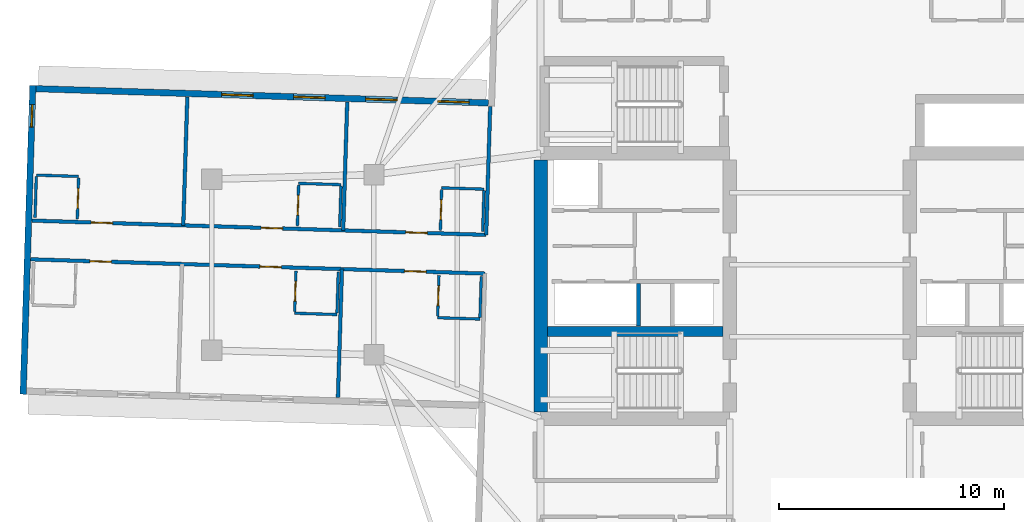
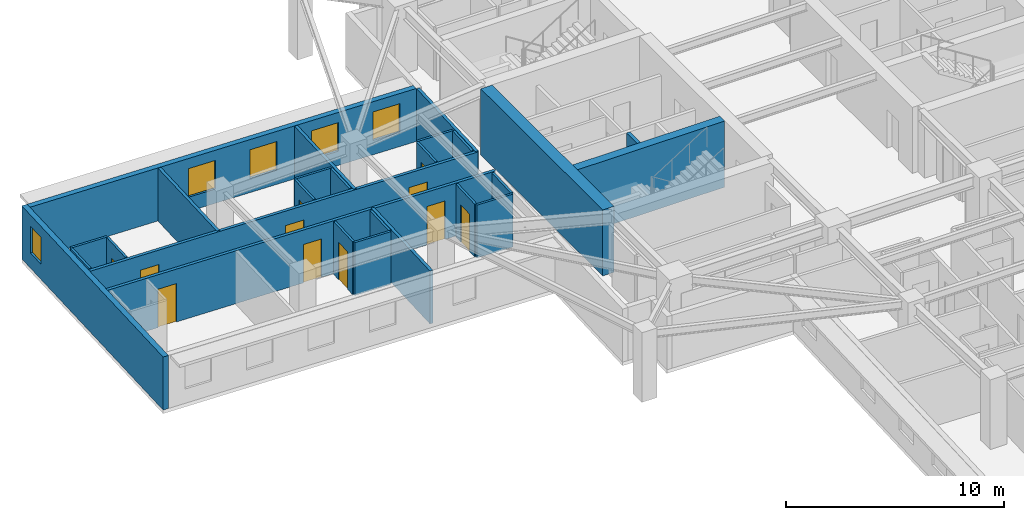
# One storey, part 5 of 14: 26 walls, 11 doors, 5 windows, 16 openings.
"""IFC4 building model written with IfcOpenShell, lengths in metres."""

from ifc_helpers import new_model, si_unit, direction, frame, frame_2d, origin, place, context, subcontext, project, spatial, rectangle, extrude, material, layer, layer_set, type_object, element, fill, save


model = new_model("IFC4")

# Units and contexts
model_context = context("Model", 3, precision=1e-05, world=origin(), true_north=direction((0.0, 1.0)))
body_context = subcontext(model_context, "Body", "Model", "MODEL_VIEW")
ifc_project = project(units=[si_unit("LENGTHUNIT", "METRE"), si_unit("AREAUNIT", "SQUARE_METRE"), si_unit("VOLUMEUNIT", "CUBIC_METRE"), si_unit("PLANEANGLEUNIT", "RADIAN"), si_unit("MASSUNIT", "GRAM", prefix="KILO")], contexts=[model_context])

# Site, building, storey
site_placement = place(None, origin())
site = spatial("IfcSite", under=ifc_project, at=site_placement, CompositionType="ELEMENT")
building_placement = place(site_placement, origin())
building = spatial("IfcBuilding", under=site, at=building_placement, Name="Qingluan Cross Belvedere", CompositionType="ELEMENT")
storey_placement = place(building_placement, frame((0.0, 0.0, 176.10009765625)))
storey = spatial("IfcBuildingStorey", under=building, at=storey_placement, Name="L44", CompositionType="ELEMENT", Elevation=176.10009765625)

# Walls
ifc_material_1 = material(Name="Concrete C50", Category="concrete")
ifc_layer_1 = layer(ifc_material_1, 0.449951171875, Name="CoreShearWall_450")
ifc_layer_set_1 = layer_set([ifc_layer_1], Name="Concrete C50")
wall_type_1 = type_object("IfcWallType", Name="CoreShearWall_450", PredefinedType="SHEAR", material=ifc_layer_set_1)
wall_1_placement = place(storey_placement, frame((-12.094970703125, -2.9599609375, 0.0), z_axis=(0.0, 0.0, 1.0), x_axis=(1.0, 0.0, 0.0)))
element("IfcWall", 1, at=wall_1_placement, inside=storey, type_object=wall_type_1, Name="Split core W shear wall L44-M", PredefinedType="SHEAR", context=body_context, shape_type="SweptSolid", body=[
    extrude(rectangle(XDim=7.7900390625, YDim=0.449951171875, at=frame_2d((3.89501953125, 0.0))), origin(), (0.0, 0.0, 1.0), 3.699951171875),
])
ifc_material_2 = material(Name="Concrete C60", Category="concrete")
ifc_layer_2 = layer(ifc_material_2, 0.60009765625, Name="CoreShearWall_600")
ifc_layer_set_2 = layer_set([ifc_layer_2], Name="Concrete C60")
wall_type_2 = type_object("IfcWallType", Name="CoreShearWall_600", PredefinedType="SHEAR", material=ifc_layer_set_2)
wall_2_placement = place(storey_placement, frame((-12.39990234375, -6.544921875, 0.0), z_axis=(0.0, 0.0, 1.0), x_axis=(0.0, 1.0, 0.0)))
element("IfcWall", 2, at=wall_2_placement, inside=storey, type_object=wall_type_2, Name="Split core W shear wall L44-W", PredefinedType="SHEAR", context=body_context, shape_type="SweptSolid", body=[
    extrude(rectangle(XDim=11.18994140625, YDim=0.60009765625, at=frame_2d((5.594970703125, 0.0))), origin(), (0.0, 0.0, 1.0), 3.699951171875),
])

# Wall, openings, doors
ifc_material_3 = material(Name="Gypsum plasterboard on steel stud acoustic partition", Category="steel")
ifc_layer_3 = layer(ifc_material_3, 0.159912109375, Name="CorridorPartition_160")
ifc_layer_set_3 = layer_set([ifc_layer_3], Name="Gypsum plasterboard on steel stud acoustic partition")
wall_type_3 = type_object("IfcWallType", Name="CorridorPartition_160", PredefinedType="PARTITIONING", material=ifc_layer_set_3)
wall_3_placement = place(storey_placement, frame((-14.815673828125, 1.325927734375, 0.0), z_axis=(0.0, 0.0, 1.0), x_axis=(-0.999506406629, 0.031415650687, 0.0)))
wall_3 = element("IfcWall", 3, at=wall_3_placement, inside=storey, type_object=wall_type_3, Name="Partition L44:W:c0", PredefinedType="PARTITIONING", context=body_context, shape_type="SweptSolid", body=[
    extrude(rectangle(XDim=20.18212890625, YDim=0.159912109375, at=frame_2d((10.091064453125, 0.0))), origin(), (0.0, 0.0, 1.0), 2.9599609375),
])
opening_1_placement = place(wall_3_placement, frame((2.614990234375, 0.0, 0.0)))
opening_1 = element("IfcOpeningElement", 4, at=opening_1_placement, cuts=wall_3, Name="Opening GD-10", PredefinedType="OPENING", context=body_context, shape_type="SweptSolid", body=[
    extrude(rectangle(XDim=0.9599609375, YDim=2.14990234375, at=frame_2d((0.47998046875, 1.074951171875))), frame((0.0, 0.08984375, 0.0), z_axis=(0.0, -1.0, 0.0), x_axis=(1.0, 0.0, 0.0)), (0.0, 0.0, 1.0), 0.179931640625),
])
opening_2_placement = place(wall_3_placement, frame((9.04296875, 0.0, 0.0)))
opening_2 = element("IfcOpeningElement", 5, at=opening_2_placement, cuts=wall_3, Name="Opening GD-10", PredefinedType="OPENING", context=body_context, shape_type="SweptSolid", body=[
    extrude(rectangle(XDim=0.9599609375, YDim=2.14990234375, at=frame_2d((0.47998046875, 1.074951171875))), frame((0.0, 0.08984375, 0.0), z_axis=(0.0, -1.0, 0.0), x_axis=(1.0, 0.0, 0.0)), (0.0, 0.0, 1.0), 0.179931640625),
])
opening_3_placement = place(wall_3_placement, frame((16.594970703125, 0.0, 0.0)))
opening_3 = element("IfcOpeningElement", 6, at=opening_3_placement, cuts=wall_3, Name="Opening GD-10", PredefinedType="OPENING", context=body_context, shape_type="SweptSolid", body=[
    extrude(rectangle(XDim=0.9599609375, YDim=2.14990234375, at=frame_2d((0.47998046875, 1.074951171875))), frame((0.0, 0.08984375, 0.0), z_axis=(0.0, -1.0, 0.0), x_axis=(1.0, 0.0, 0.0)), (0.0, 0.0, 1.0), 0.179931640625),
])
ifc_material_4 = material(Name="Timber oak fire-rated acoustic guestroom door", Category="wood")
door_type_1 = type_object("IfcDoorType", Name="GuestEntryDoor_FD60", OperationType="NOTDEFINED", PredefinedType="DOOR", material=ifc_material_4)
door_1_placement = place(opening_1_placement, origin())
door_1 = element("IfcDoor", 7, at=door_1_placement, inside=storey, type_object=door_type_1, Name="Guest entry fire door 4405", OperationType="SINGLE_SWING_RIGHT", OverallHeight=2.14990234375, OverallWidth=0.9599609375, PredefinedType="DOOR", context=body_context, shape_type="SweptSolid", body=[
    extrude(rectangle(XDim=0.9599609375, YDim=2.14990234375, at=frame_2d((0.47998046875, 1.074951171875))), frame((0.0, 0.02490234375, 0.0), z_axis=(0.0, -1.0, 0.0), x_axis=(1.0, 0.0, 0.0)), (0.0, 0.0, 1.0), 0.050048828125),
])
fill(opening_1, door_1)
door_2_placement = place(opening_2_placement, origin())
door_2 = element("IfcDoor", 8, at=door_2_placement, inside=storey, type_object=door_type_1, Name="Guest entry fire door 4406", OperationType="SINGLE_SWING_RIGHT", OverallHeight=2.14990234375, OverallWidth=0.9599609375, PredefinedType="DOOR", context=body_context, shape_type="SweptSolid", body=[
    extrude(rectangle(XDim=0.9599609375, YDim=2.14990234375, at=frame_2d((0.47998046875, 1.074951171875))), frame((0.0, 0.02490234375, 0.0), z_axis=(0.0, -1.0, 0.0), x_axis=(1.0, 0.0, 0.0)), (0.0, 0.0, 1.0), 0.050048828125),
])
fill(opening_2, door_2)
door_3_placement = place(opening_3_placement, origin())
door_3 = element("IfcDoor", 9, at=door_3_placement, inside=storey, type_object=door_type_1, Name="Guest entry fire door 4407", OperationType="SINGLE_SWING_RIGHT", OverallHeight=2.14990234375, OverallWidth=0.9599609375, PredefinedType="DOOR", context=body_context, shape_type="SweptSolid", body=[
    extrude(rectangle(XDim=0.9599609375, YDim=2.14990234375, at=frame_2d((0.47998046875, 1.074951171875))), frame((0.0, 0.02490234375, 0.0), z_axis=(0.0, -1.0, 0.0), x_axis=(1.0, 0.0, 0.0)), (0.0, 0.0, 1.0), 0.050048828125),
])
fill(opening_3, door_3)

# Walls
wall_4_placement = place(storey_placement, frame((-14.815673828125, 1.325927734375, 0.0), z_axis=(0.0, 0.0, 1.0), x_axis=(0.031414891017, 0.999506430506, 0.0)))
element("IfcWall", 10, at=wall_4_placement, inside=storey, type_object=wall_type_3, Name="Partition L44:W:s0", PredefinedType="PARTITIONING", context=body_context, shape_type="SweptSolid", body=[
    extrude(rectangle(XDim=5.712158203125, YDim=0.159912109375, at=frame_2d((2.85595703125, 0.0))), origin(), (0.0, 0.0, 1.0), 2.9599609375),
])
wall_5_placement = place(storey_placement, frame((-21.16552734375, 1.525634765625, 0.0), z_axis=(0.0, 0.0, 1.0), x_axis=(0.031416233126, 0.999506388322, 0.0)))
element("IfcWall", 11, at=wall_5_placement, inside=storey, type_object=wall_type_3, Name="Partition L44:W:d0_0", PredefinedType="PARTITIONING", context=body_context, shape_type="SweptSolid", body=[
    extrude(rectangle(XDim=5.7119140625, YDim=0.159912109375, at=frame_2d((2.85595703125, 0.0))), origin(), (0.0, 0.0, 1.0), 2.9599609375),
])
wall_6_placement = place(storey_placement, frame((-28.26708984375, 1.748779296875, 0.0), z_axis=(0.0, 0.0, 1.0), x_axis=(0.031414891017, 0.999506430506, 0.0)))
element("IfcWall", 12, at=wall_6_placement, inside=storey, type_object=wall_type_3, Name="Partition L44:W:d0_1", PredefinedType="PARTITIONING", context=body_context, shape_type="SweptSolid", body=[
    extrude(rectangle(XDim=5.712158203125, YDim=0.159912109375, at=frame_2d((2.85595703125, 0.0))), origin(), (0.0, 0.0, 1.0), 2.9599609375),
])

# Wall, openings, doors
wall_7_placement = place(storey_placement, frame((-14.86962890625, -0.39306640625, 0.0), z_axis=(0.0, 0.0, 1.0), x_axis=(-0.9995067864, 0.031403565719, 0.0)))
wall_7 = element("IfcWall", 13, at=wall_7_placement, inside=storey, type_object=wall_type_3, Name="Partition L44:W:c1", PredefinedType="PARTITIONING", context=body_context, shape_type="SweptSolid", body=[
    extrude(rectangle(XDim=20.18212890625, YDim=0.159912109375, at=frame_2d((10.091064453125, 0.0))), origin(), (0.0, 0.0, 1.0), 2.9599609375),
])
opening_4_placement = place(wall_7_placement, frame((2.614990234375, 0.0, 0.0)))
opening_4 = element("IfcOpeningElement", 14, at=opening_4_placement, cuts=wall_7, Name="Opening GD-10", PredefinedType="OPENING", context=body_context, shape_type="SweptSolid", body=[
    extrude(rectangle(XDim=0.9599609375, YDim=2.14990234375, at=frame_2d((0.47998046875, 1.074951171875))), frame((0.0, 0.08984375, 0.0), z_axis=(0.0, -1.0, 0.0), x_axis=(1.0, 0.0, 0.0)), (0.0, 0.0, 1.0), 0.179931640625),
])
opening_5_placement = place(wall_7_placement, frame((9.04296875, 0.0, 0.0)))
opening_5 = element("IfcOpeningElement", 15, at=opening_5_placement, cuts=wall_7, Name="Opening GD-10", PredefinedType="OPENING", context=body_context, shape_type="SweptSolid", body=[
    extrude(rectangle(XDim=0.9599609375, YDim=2.14990234375, at=frame_2d((0.47998046875, 1.074951171875))), frame((0.0, 0.08984375, 0.0), z_axis=(0.0, -1.0, 0.0), x_axis=(1.0, 0.0, 0.0)), (0.0, 0.0, 1.0), 0.179931640625),
])
opening_6_placement = place(wall_7_placement, frame((16.594970703125, 0.0, 0.0)))
opening_6 = element("IfcOpeningElement", 16, at=opening_6_placement, cuts=wall_7, Name="Opening GD-10", PredefinedType="OPENING", context=body_context, shape_type="SweptSolid", body=[
    extrude(rectangle(XDim=0.9599609375, YDim=2.14990234375, at=frame_2d((0.47998046875, 1.074951171875))), frame((0.0, 0.08984375, 0.0), z_axis=(0.0, -1.0, 0.0), x_axis=(1.0, 0.0, 0.0)), (0.0, 0.0, 1.0), 0.179931640625),
])
door_4_placement = place(opening_4_placement, origin())
door_4 = element("IfcDoor", 17, at=door_4_placement, inside=storey, type_object=door_type_1, Name="Guest entry fire door 4408", OperationType="SINGLE_SWING_RIGHT", OverallHeight=2.14990234375, OverallWidth=0.9599609375, PredefinedType="DOOR", context=body_context, shape_type="SweptSolid", body=[
    extrude(rectangle(XDim=0.9599609375, YDim=2.14990234375, at=frame_2d((0.47998046875, 1.074951171875))), frame((0.0, 0.02490234375, 0.0), z_axis=(0.0, -1.0, 0.0), x_axis=(1.0, 0.0, 0.0)), (0.0, 0.0, 1.0), 0.050048828125),
])
fill(opening_4, door_4)
door_5_placement = place(opening_5_placement, origin())
door_5 = element("IfcDoor", 18, at=door_5_placement, inside=storey, type_object=door_type_1, Name="Guest entry fire door 4409", OperationType="SINGLE_SWING_RIGHT", OverallHeight=2.14990234375, OverallWidth=0.9599609375, PredefinedType="DOOR", context=body_context, shape_type="SweptSolid", body=[
    extrude(rectangle(XDim=0.9599609375, YDim=2.14990234375, at=frame_2d((0.47998046875, 1.074951171875))), frame((0.0, 0.02490234375, 0.0), z_axis=(0.0, -1.0, 0.0), x_axis=(1.0, 0.0, 0.0)), (0.0, 0.0, 1.0), 0.050048828125),
])
fill(opening_5, door_5)
door_6_placement = place(opening_6_placement, origin())
door_6 = element("IfcDoor", 19, at=door_6_placement, inside=storey, type_object=door_type_1, Name="Guest entry fire door 4410", OperationType="SINGLE_SWING_RIGHT", OverallHeight=2.14990234375, OverallWidth=0.9599609375, PredefinedType="DOOR", context=body_context, shape_type="SweptSolid", body=[
    extrude(rectangle(XDim=0.9599609375, YDim=2.14990234375, at=frame_2d((0.47998046875, 1.074951171875))), frame((0.0, 0.02490234375, 0.0), z_axis=(0.0, -1.0, 0.0), x_axis=(1.0, 0.0, 0.0)), (0.0, 0.0, 1.0), 0.050048828125),
])
fill(opening_6, door_6)

# Wall
wall_8_placement = place(storey_placement, frame((-21.219482421875, -0.193603515625, 0.0), z_axis=(0.0, 0.0, 1.0), x_axis=(-0.031414891017, -0.999506430506, 0.0)))
element("IfcWall", 20, at=wall_8_placement, inside=storey, type_object=wall_type_3, Name="Partition L44:W:d1_0", PredefinedType="PARTITIONING", context=body_context, shape_type="SweptSolid", body=[
    extrude(rectangle(XDim=5.712158203125, YDim=0.159912109375, at=frame_2d((2.85595703125, 0.0))), origin(), (0.0, 0.0, 1.0), 2.9599609375),
])

# Wall, opening, door
ifc_material_5 = material(Name="Moisture-resistant gypsum board lining")
ifc_layer_4 = layer(ifc_material_5, 0.1201171875, Name="EnsuiteWetPartition_120")
ifc_layer_set_4 = layer_set([ifc_layer_4], Name="Moisture-resistant gypsum board lining")
wall_type_4 = type_object("IfcWallType", Name="EnsuiteWetPartition_120", PredefinedType="PARTITIONING", material=ifc_layer_set_4)
wall_9_placement = place(storey_placement, frame((-16.850341796875, 1.530029296875, 0.0), z_axis=(0.0, 0.0, 1.0), x_axis=(0.031389704724, 0.999507221803, 0.0)))
wall_9 = element("IfcWall", 21, at=wall_9_placement, inside=storey, type_object=wall_type_4, Name="Partition L44:W:bs0_0", PredefinedType="PARTITIONING", context=body_context, shape_type="SweptSolid", body=[
    extrude(rectangle(XDim=1.820068359375, YDim=0.1201171875, at=frame_2d((0.91015625, 0.0))), origin(), (0.0, 0.0, 1.0), 2.9599609375),
])
opening_7_placement = place(wall_9_placement, frame((0.469970703125, 0.0, 0.0)))
opening_7 = element("IfcOpeningElement", 22, at=opening_7_placement, cuts=wall_9, Name="Opening BD-09", PredefinedType="OPENING", context=body_context, shape_type="SweptSolid", body=[
    extrude(rectangle(XDim=0.8798828125, YDim=2.10009765625, at=frame_2d((0.43994140625, 1.050048828125))), frame((0.0, 0.070068359375, 0.0), z_axis=(0.0, -1.0, 0.0), x_axis=(1.0, 0.0, 0.0)), (0.0, 0.0, 1.0), 0.14013671875),
])
ifc_material_6 = material(Name="Moisture-sealed timber en-suite door", Category="wood")
door_type_2 = type_object("IfcDoorType", Name="BathroomDoor_880", OperationType="NOTDEFINED", PredefinedType="DOOR", material=ifc_material_6)
door_7_placement = place(opening_7_placement, origin())
door_7 = element("IfcDoor", 23, at=door_7_placement, inside=storey, type_object=door_type_2, Name="Bathroom door 4405", OperationType="SINGLE_SWING_LEFT", OverallHeight=2.10009765625, OverallWidth=0.8798828125, PredefinedType="DOOR", context=body_context, shape_type="SweptSolid", body=[
    extrude(rectangle(XDim=0.8798828125, YDim=2.10009765625, at=frame_2d((0.43994140625, 1.050048828125))), frame((0.0, 0.02490234375, 0.0), z_axis=(0.0, -1.0, 0.0), x_axis=(1.0, 0.0, 0.0)), (0.0, 0.0, 1.0), 0.050048828125),
])
fill(opening_7, door_7)

# Walls
wall_10_placement = place(storey_placement, frame((-14.97119140625, 1.470947265625, 0.0), z_axis=(0.0, 0.0, 1.0), x_axis=(0.031389704724, 0.999507221803, 0.0)))
element("IfcWall", 24, at=wall_10_placement, inside=storey, type_object=wall_type_4, Name="Partition L44:W:bw0_0", PredefinedType="PARTITIONING", context=body_context, shape_type="SweptSolid", body=[
    extrude(rectangle(XDim=1.820068359375, YDim=0.1201171875, at=frame_2d((0.91015625, 0.0))), origin(), (0.0, 0.0, 1.0), 2.9599609375),
])
wall_11_placement = place(storey_placement, frame((-14.912109375, 3.35498046875, 0.0), z_axis=(0.0, 0.0, 1.0), x_axis=(-0.999505975261, 0.031429371883, 0.0)))
element("IfcWall", 25, at=wall_11_placement, inside=storey, type_object=wall_type_4, Name="Partition L44:W:bn0_0", PredefinedType="PARTITIONING", context=body_context, shape_type="SweptSolid", body=[
    extrude(rectangle(XDim=1.8798828125, YDim=0.1201171875, at=frame_2d((0.93994140625, 0.0))), origin(), (0.0, 0.0, 1.0), 2.9599609375),
])

# Wall, opening, door
wall_12_placement = place(storey_placement, frame((-23.2001953125, 1.7294921875, 0.0), z_axis=(0.0, 0.0, 1.0), x_axis=(0.031389704724, 0.999507221803, 0.0)))
wall_12 = element("IfcWall", 26, at=wall_12_placement, inside=storey, type_object=wall_type_4, Name="Partition L44:W:bs0_1", PredefinedType="PARTITIONING", context=body_context, shape_type="SweptSolid", body=[
    extrude(rectangle(XDim=1.820068359375, YDim=0.1201171875, at=frame_2d((0.91015625, 0.0))), origin(), (0.0, 0.0, 1.0), 2.9599609375),
])
opening_8_placement = place(wall_12_placement, frame((0.469970703125, 0.0, 0.0)))
opening_8 = element("IfcOpeningElement", 27, at=opening_8_placement, cuts=wall_12, Name="Opening BD-09", PredefinedType="OPENING", context=body_context, shape_type="SweptSolid", body=[
    extrude(rectangle(XDim=0.8798828125, YDim=2.10009765625, at=frame_2d((0.43994140625, 1.050048828125))), frame((0.0, 0.070068359375, 0.0), z_axis=(0.0, -1.0, 0.0), x_axis=(1.0, 0.0, 0.0)), (0.0, 0.0, 1.0), 0.14013671875),
])
door_8_placement = place(opening_8_placement, origin())
door_8 = element("IfcDoor", 28, at=door_8_placement, inside=storey, type_object=door_type_2, Name="Bathroom door 4406", OperationType="SINGLE_SWING_LEFT", OverallHeight=2.10009765625, OverallWidth=0.8798828125, PredefinedType="DOOR", context=body_context, shape_type="SweptSolid", body=[
    extrude(rectangle(XDim=0.8798828125, YDim=2.10009765625, at=frame_2d((0.43994140625, 1.050048828125))), frame((0.0, 0.02490234375, 0.0), z_axis=(0.0, -1.0, 0.0), x_axis=(1.0, 0.0, 0.0)), (0.0, 0.0, 1.0), 0.050048828125),
])
fill(opening_8, door_8)

# Walls
wall_13_placement = place(storey_placement, frame((-21.321044921875, 1.67041015625, 0.0), z_axis=(0.0, 0.0, 1.0), x_axis=(0.031389704724, 0.999507221803, 0.0)))
element("IfcWall", 29, at=wall_13_placement, inside=storey, type_object=wall_type_4, Name="Partition L44:W:bw0_1", PredefinedType="PARTITIONING", context=body_context, shape_type="SweptSolid", body=[
    extrude(rectangle(XDim=1.820068359375, YDim=0.1201171875, at=frame_2d((0.91015625, 0.0))), origin(), (0.0, 0.0, 1.0), 2.9599609375),
])
wall_14_placement = place(storey_placement, frame((-21.26171875, 3.5546875, 0.0), z_axis=(0.0, 0.0, 1.0), x_axis=(-0.999506103526, 0.031425292588, 0.0)))
element("IfcWall", 30, at=wall_14_placement, inside=storey, type_object=wall_type_4, Name="Partition L44:W:bn0_1", PredefinedType="PARTITIONING", context=body_context, shape_type="SweptSolid", body=[
    extrude(rectangle(XDim=1.880126953125, YDim=0.1201171875, at=frame_2d((0.93994140625, 0.0))), origin(), (0.0, 0.0, 1.0), 2.9599609375),
])

# Wall, opening, door
wall_15_placement = place(storey_placement, frame((-32.972412109375, 2.03662109375, 0.0), z_axis=(0.0, 0.0, 1.0), x_axis=(0.03152371574, 0.999503004171, 0.0)))
wall_15 = element("IfcWall", 31, at=wall_15_placement, inside=storey, type_object=wall_type_4, Name="Partition L44:W:bs0_2", PredefinedType="PARTITIONING", context=body_context, shape_type="SweptSolid", body=[
    extrude(rectangle(XDim=1.820068359375, YDim=0.1201171875, at=frame_2d((0.91015625, 0.0))), origin(), (0.0, 0.0, 1.0), 2.9599609375),
])
opening_9_placement = place(wall_15_placement, frame((0.469970703125, 0.0, 0.0)))
opening_9 = element("IfcOpeningElement", 32, at=opening_9_placement, cuts=wall_15, Name="Opening BD-09", PredefinedType="OPENING", context=body_context, shape_type="SweptSolid", body=[
    extrude(rectangle(XDim=0.8798828125, YDim=2.10009765625, at=frame_2d((0.43994140625, 1.050048828125))), frame((0.0, 0.070068359375, 0.0), z_axis=(0.0, -1.0, 0.0), x_axis=(1.0, 0.0, 0.0)), (0.0, 0.0, 1.0), 0.14013671875),
])
door_9_placement = place(opening_9_placement, origin())
door_9 = element("IfcDoor", 33, at=door_9_placement, inside=storey, type_object=door_type_2, Name="Bathroom door 4407", OperationType="SINGLE_SWING_LEFT", OverallHeight=2.10009765625, OverallWidth=0.8798828125, PredefinedType="DOOR", context=body_context, shape_type="SweptSolid", body=[
    extrude(rectangle(XDim=0.8798828125, YDim=2.10009765625, at=frame_2d((0.43994140625, 1.050048828125))), frame((0.0, 0.02490234375, 0.0), z_axis=(0.0, -1.0, 0.0), x_axis=(1.0, 0.0, 0.0)), (0.0, 0.0, 1.0), 0.050048828125),
])
fill(opening_9, door_9)

# Walls
wall_16_placement = place(storey_placement, frame((-34.851318359375, 2.095703125, 0.0), z_axis=(0.0, 0.0, 1.0), x_axis=(0.031389704724, 0.999507221803, 0.0)))
element("IfcWall", 34, at=wall_16_placement, inside=storey, type_object=wall_type_4, Name="Partition L44:W:bw0_2", PredefinedType="PARTITIONING", context=body_context, shape_type="SweptSolid", body=[
    extrude(rectangle(XDim=1.820068359375, YDim=0.1201171875, at=frame_2d((0.91015625, 0.0))), origin(), (0.0, 0.0, 1.0), 2.9599609375),
])
wall_17_placement = place(storey_placement, frame((-32.9130859375, 3.9208984375, 0.0), z_axis=(0.0, 0.0, 1.0), x_axis=(-0.999510173889, 0.031295563454, 0.0)))
element("IfcWall", 35, at=wall_17_placement, inside=storey, type_object=wall_type_4, Name="Partition L44:W:bn0_2", PredefinedType="PARTITIONING", context=body_context, shape_type="SweptSolid", body=[
    extrude(rectangle(XDim=1.880126953125, YDim=0.1201171875, at=frame_2d((0.93994140625, 0.0))), origin(), (0.0, 0.0, 1.0), 2.9599609375),
])

# Wall, opening, door
wall_18_placement = place(storey_placement, frame((-16.97021484375, -2.2880859375, 0.0), z_axis=(0.0, 0.0, 1.0), x_axis=(0.031389704724, 0.999507221803, 0.0)))
wall_18 = element("IfcWall", 36, at=wall_18_placement, inside=storey, type_object=wall_type_4, Name="Partition L44:W:bs1_0", PredefinedType="PARTITIONING", context=body_context, shape_type="SweptSolid", body=[
    extrude(rectangle(XDim=1.820068359375, YDim=0.1201171875, at=frame_2d((0.91015625, 0.0))), origin(), (0.0, 0.0, 1.0), 2.9599609375),
])
opening_10_placement = place(wall_18_placement, frame((0.469970703125, 0.0, 0.0)))
opening_10 = element("IfcOpeningElement", 37, at=opening_10_placement, cuts=wall_18, Name="Opening BD-09", PredefinedType="OPENING", context=body_context, shape_type="SweptSolid", body=[
    extrude(rectangle(XDim=0.8798828125, YDim=2.10009765625, at=frame_2d((0.43994140625, 1.050048828125))), frame((0.0, 0.070068359375, 0.0), z_axis=(0.0, -1.0, 0.0), x_axis=(1.0, 0.0, 0.0)), (0.0, 0.0, 1.0), 0.14013671875),
])
door_10_placement = place(opening_10_placement, origin())
door_10 = element("IfcDoor", 38, at=door_10_placement, inside=storey, type_object=door_type_2, Name="Bathroom door 4408", OperationType="SINGLE_SWING_LEFT", OverallHeight=2.10009765625, OverallWidth=0.8798828125, PredefinedType="DOOR", context=body_context, shape_type="SweptSolid", body=[
    extrude(rectangle(XDim=0.8798828125, YDim=2.10009765625, at=frame_2d((0.43994140625, 1.050048828125))), frame((0.0, 0.02490234375, 0.0), z_axis=(0.0, -1.0, 0.0), x_axis=(1.0, 0.0, 0.0)), (0.0, 0.0, 1.0), 0.050048828125),
])
fill(opening_10, door_10)

# Walls
wall_19_placement = place(storey_placement, frame((-15.09130859375, -2.34716796875, 0.0), z_axis=(0.0, 0.0, 1.0), x_axis=(0.03152371574, 0.999503004171, 0.0)))
element("IfcWall", 39, at=wall_19_placement, inside=storey, type_object=wall_type_4, Name="Partition L44:W:bw1_0", PredefinedType="PARTITIONING", context=body_context, shape_type="SweptSolid", body=[
    extrude(rectangle(XDim=1.820068359375, YDim=0.1201171875, at=frame_2d((0.91015625, 0.0))), origin(), (0.0, 0.0, 1.0), 2.9599609375),
])
wall_20_placement = place(storey_placement, frame((-15.09326171875, -2.412109375, 0.0), z_axis=(0.0, 0.0, 1.0), x_axis=(-0.999506103526, 0.031425292588, 0.0)))
element("IfcWall", 40, at=wall_20_placement, inside=storey, type_object=wall_type_4, Name="Partition L44:W:bc1_0", PredefinedType="PARTITIONING", context=body_context, shape_type="SweptSolid", body=[
    extrude(rectangle(XDim=1.880126953125, YDim=0.1201171875, at=frame_2d((0.93994140625, 0.0))), origin(), (0.0, 0.0, 1.0), 2.9599609375),
])

# Wall, opening, door
wall_21_placement = place(storey_placement, frame((-23.320068359375, -2.08837890625, 0.0), z_axis=(0.0, 0.0, 1.0), x_axis=(0.031389704724, 0.999507221803, 0.0)))
wall_21 = element("IfcWall", 41, at=wall_21_placement, inside=storey, type_object=wall_type_4, Name="Partition L44:W:bs1_1", PredefinedType="PARTITIONING", context=body_context, shape_type="SweptSolid", body=[
    extrude(rectangle(XDim=1.820068359375, YDim=0.1201171875, at=frame_2d((0.91015625, 0.0))), origin(), (0.0, 0.0, 1.0), 2.9599609375),
])
opening_11_placement = place(wall_21_placement, frame((0.469970703125, 0.0, 0.0)))
opening_11 = element("IfcOpeningElement", 42, at=opening_11_placement, cuts=wall_21, Name="Opening BD-09", PredefinedType="OPENING", context=body_context, shape_type="SweptSolid", body=[
    extrude(rectangle(XDim=0.8798828125, YDim=2.10009765625, at=frame_2d((0.43994140625, 1.050048828125))), frame((0.0, 0.070068359375, 0.0), z_axis=(0.0, -1.0, 0.0), x_axis=(1.0, 0.0, 0.0)), (0.0, 0.0, 1.0), 0.14013671875),
])
door_11_placement = place(opening_11_placement, origin())
door_11 = element("IfcDoor", 43, at=door_11_placement, inside=storey, type_object=door_type_2, Name="Bathroom door 4409", OperationType="SINGLE_SWING_LEFT", OverallHeight=2.10009765625, OverallWidth=0.8798828125, PredefinedType="DOOR", context=body_context, shape_type="SweptSolid", body=[
    extrude(rectangle(XDim=0.8798828125, YDim=2.10009765625, at=frame_2d((0.43994140625, 1.050048828125))), frame((0.0, 0.02490234375, 0.0), z_axis=(0.0, -1.0, 0.0), x_axis=(1.0, 0.0, 0.0)), (0.0, 0.0, 1.0), 0.050048828125),
])
fill(opening_11, door_11)

# Walls
wall_22_placement = place(storey_placement, frame((-21.44091796875, -2.147705078125, 0.0), z_axis=(0.0, 0.0, 1.0), x_axis=(0.031389704724, 0.999507221803, 0.0)))
element("IfcWall", 44, at=wall_22_placement, inside=storey, type_object=wall_type_4, Name="Partition L44:W:bw1_1", PredefinedType="PARTITIONING", context=body_context, shape_type="SweptSolid", body=[
    extrude(rectangle(XDim=1.820068359375, YDim=0.1201171875, at=frame_2d((0.91015625, 0.0))), origin(), (0.0, 0.0, 1.0), 2.9599609375),
])
wall_23_placement = place(storey_placement, frame((-21.443115234375, -2.21240234375, 0.0), z_axis=(0.0, 0.0, 1.0), x_axis=(-0.999510173889, 0.031295563454, 0.0)))
element("IfcWall", 45, at=wall_23_placement, inside=storey, type_object=wall_type_4, Name="Partition L44:W:bc1_1", PredefinedType="PARTITIONING", context=body_context, shape_type="SweptSolid", body=[
    extrude(rectangle(XDim=1.880126953125, YDim=0.1201171875, at=frame_2d((0.93994140625, 0.0))), origin(), (0.0, 0.0, 1.0), 2.9599609375),
])

# Wall, openings, windows
ifc_material_7 = material(Name="Precast concrete C45", Category="concrete")
ifc_layer_5 = layer(ifc_material_7, 0.280029296875, Name="PrecastFacadeWall_280")
ifc_layer_set_5 = layer_set([ifc_layer_5], Name="Precast concrete C45")
wall_type_5 = type_object("IfcWallType", Name="PrecastFacadeWall_280", PredefinedType="STANDARD", material=ifc_layer_set_5)
wall_24_placement = place(storey_placement, frame((-14.721435546875, 7.18603515625, 0.0), z_axis=(0.0, 0.0, 1.0), x_axis=(-0.999506574096, 0.031410322165, 0.0)))
wall_24 = element("IfcWall", 46, at=wall_24_placement, inside=storey, type_object=wall_type_5, Name="Facade wall L44-WA", PredefinedType="STANDARD", context=body_context, shape_type="SweptSolid", body=[
    extrude(rectangle(XDim=20.10009765625, YDim=0.280029296875, at=frame_2d((10.050048828125, 0.0))), origin(), (0.0, 0.0, 1.0), 2.969970703125),
])
opening_12_placement = place(wall_24_placement, frame((0.85009765625, 0.0, 0.800048828125)))
opening_12 = element("IfcOpeningElement", 47, at=opening_12_placement, cuts=wall_24, Name="Opening W-01", PredefinedType="OPENING", context=body_context, shape_type="SweptSolid", body=[
    extrude(rectangle(XDim=1.39990234375, YDim=1.60009765625, at=frame_2d((0.699951171875, 0.800048828125))), frame((0.0, 0.14990234375, 0.0), z_axis=(0.0, -1.0, 0.0), x_axis=(1.0, 0.0, 0.0)), (0.0, 0.0, 1.0), 0.300048828125),
])
opening_13_placement = place(wall_24_placement, frame((4.050048828125, 0.0, 0.800048828125)))
opening_13 = element("IfcOpeningElement", 48, at=opening_13_placement, cuts=wall_24, Name="Opening W-01", PredefinedType="OPENING", context=body_context, shape_type="SweptSolid", body=[
    extrude(rectangle(XDim=1.39990234375, YDim=1.60009765625, at=frame_2d((0.699951171875, 0.800048828125))), frame((0.0, 0.14990234375, 0.0), z_axis=(0.0, -1.0, 0.0), x_axis=(1.0, 0.0, 0.0)), (0.0, 0.0, 1.0), 0.300048828125),
])
opening_14_placement = place(wall_24_placement, frame((7.25, 0.0, 0.800048828125)))
opening_14 = element("IfcOpeningElement", 49, at=opening_14_placement, cuts=wall_24, Name="Opening W-01", PredefinedType="OPENING", context=body_context, shape_type="SweptSolid", body=[
    extrude(rectangle(XDim=1.39990234375, YDim=1.60009765625, at=frame_2d((0.699951171875, 0.800048828125))), frame((0.0, 0.14990234375, 0.0), z_axis=(0.0, -1.0, 0.0), x_axis=(1.0, 0.0, 0.0)), (0.0, 0.0, 1.0), 0.300048828125),
])
opening_15_placement = place(wall_24_placement, frame((10.449951171875, 0.0, 0.800048828125)))
opening_15 = element("IfcOpeningElement", 50, at=opening_15_placement, cuts=wall_24, Name="Opening W-01", PredefinedType="OPENING", context=body_context, shape_type="SweptSolid", body=[
    extrude(rectangle(XDim=1.39990234375, YDim=1.60009765625, at=frame_2d((0.699951171875, 0.800048828125))), frame((0.0, 0.14990234375, 0.0), z_axis=(0.0, -1.0, 0.0), x_axis=(1.0, 0.0, 0.0)), (0.0, 0.0, 1.0), 0.300048828125),
])
ifc_material_8 = material(Name="Thermally broken triple Low-E glass in aluminium frame", Category="aluminium")
window_type_1 = type_object("IfcWindowType", Name="TriRibbonWin_1400x1600", PartitioningType="SINGLE_PANEL", PredefinedType="WINDOW", material=ifc_material_8)
window_1_placement = place(opening_12_placement, origin())
window_1 = element("IfcWindow", 51, at=window_1_placement, inside=storey, type_object=window_type_1, Name="Ribbon window L44-WA-1", OverallHeight=1.60009765625, OverallWidth=1.39990234375, PartitioningType="SINGLE_PANEL", PredefinedType="WINDOW", context=body_context, shape_type="SweptSolid", body=[
    extrude(rectangle(XDim=1.39990234375, YDim=1.60009765625, at=frame_2d((0.699951171875, 0.800048828125))), frame((0.0, 0.030029296875, 0.0), z_axis=(0.0, -1.0, 0.0), x_axis=(1.0, 0.0, 0.0)), (0.0, 0.0, 1.0), 0.06005859375),
])
fill(opening_12, window_1)
window_2_placement = place(opening_13_placement, origin())
window_2 = element("IfcWindow", 52, at=window_2_placement, inside=storey, type_object=window_type_1, Name="Ribbon window L44-WA-2", OverallHeight=1.60009765625, OverallWidth=1.39990234375, PartitioningType="SINGLE_PANEL", PredefinedType="WINDOW", context=body_context, shape_type="SweptSolid", body=[
    extrude(rectangle(XDim=1.39990234375, YDim=1.60009765625, at=frame_2d((0.699951171875, 0.800048828125))), frame((0.0, 0.030029296875, 0.0), z_axis=(0.0, -1.0, 0.0), x_axis=(1.0, 0.0, 0.0)), (0.0, 0.0, 1.0), 0.06005859375),
])
fill(opening_13, window_2)
window_3_placement = place(opening_14_placement, origin())
window_3 = element("IfcWindow", 53, at=window_3_placement, inside=storey, type_object=window_type_1, Name="Ribbon window L44-WA-3", OverallHeight=1.60009765625, OverallWidth=1.39990234375, PartitioningType="SINGLE_PANEL", PredefinedType="WINDOW", context=body_context, shape_type="SweptSolid", body=[
    extrude(rectangle(XDim=1.39990234375, YDim=1.60009765625, at=frame_2d((0.699951171875, 0.800048828125))), frame((0.0, 0.030029296875, 0.0), z_axis=(0.0, -1.0, 0.0), x_axis=(1.0, 0.0, 0.0)), (0.0, 0.0, 1.0), 0.06005859375),
])
fill(opening_14, window_3)
window_4_placement = place(opening_15_placement, origin())
window_4 = element("IfcWindow", 54, at=window_4_placement, inside=storey, type_object=window_type_1, Name="Ribbon window L44-WA-4", OverallHeight=1.60009765625, OverallWidth=1.39990234375, PartitioningType="SINGLE_PANEL", PredefinedType="WINDOW", context=body_context, shape_type="SweptSolid", body=[
    extrude(rectangle(XDim=1.39990234375, YDim=1.60009765625, at=frame_2d((0.699951171875, 0.800048828125))), frame((0.0, 0.030029296875, 0.0), z_axis=(0.0, -1.0, 0.0), x_axis=(1.0, 0.0, 0.0)), (0.0, 0.0, 1.0), 0.06005859375),
])
fill(opening_15, window_4)

# Wall, opening, window
wall_25_placement = place(storey_placement, frame((-34.947265625, 7.961669921875, 0.0), z_axis=(0.0, 0.0, 1.0), x_axis=(-0.031406966164, -0.999506679556, 0.0)))
wall_25 = element("IfcWall", 55, at=wall_25_placement, inside=storey, type_object=wall_type_5, Name="Arm tip precast facade wall L44-W", PredefinedType="STANDARD", context=body_context, shape_type="SweptSolid", body=[
    extrude(rectangle(XDim=13.72021484375, YDim=0.280029296875, at=frame_2d((6.860107421875, 0.0))), origin(), (0.0, 0.0, 1.0), 2.969970703125),
])
opening_16_placement = place(wall_25_placement, frame((0.85009765625, 0.0, 0.85009765625)))
opening_16 = element("IfcOpeningElement", 56, at=opening_16_placement, cuts=wall_25, Name="Opening W-03", PredefinedType="OPENING", context=body_context, shape_type="SweptSolid", body=[
    extrude(rectangle(XDim=1.0, YDim=1.5, at=frame_2d((0.5, 0.75))), frame((0.0, 0.14990234375, 0.0), z_axis=(0.0, -1.0, 0.0), x_axis=(1.0, 0.0, 0.0)), (0.0, 0.0, 1.0), 0.300048828125),
])
ifc_material_9 = material(Name="Thermally broken triple Low-E glass in aluminium frame", Category="aluminium")
window_type_2 = type_object("IfcWindowType", Name="TriApexWin_1000x1500", PartitioningType="SINGLE_PANEL", PredefinedType="WINDOW", material=ifc_material_9)
window_5_placement = place(opening_16_placement, origin())
window_5 = element("IfcWindow", 57, at=window_5_placement, inside=storey, type_object=window_type_2, Name="Arm tip triangular window L44-W", OverallHeight=1.5, OverallWidth=1.0, PartitioningType="SINGLE_PANEL", PredefinedType="WINDOW", context=body_context, shape_type="SweptSolid", body=[
    extrude(rectangle(XDim=1.0, YDim=1.5, at=frame_2d((0.5, 0.75))), frame((0.0, 0.030029296875, 0.0), z_axis=(0.0, -1.0, 0.0), x_axis=(1.0, 0.0, 0.0)), (0.0, 0.0, 1.0), 0.06005859375),
])
fill(opening_16, window_5)

# Wall
ifc_material_10 = material(Name="Concrete C40", Category="concrete")
ifc_layer_6 = layer(ifc_material_10, 0.219970703125, Name="ShaftEnclosureWall_250")
ifc_layer_set_6 = layer_set([ifc_layer_6], Name="Concrete C40")
wall_type_6 = type_object("IfcWallType", Name="ShaftEnclosureWall_250", PredefinedType="SOLIDWALL", material=ifc_layer_set_6)
wall_26_placement = place(storey_placement, frame((-8.06005859375, -2.72998046875, 0.0), z_axis=(0.0, 0.0, 1.0), x_axis=(0.0, 1.0, 0.0)))
element("IfcWall", 58, at=wall_26_placement, inside=storey, type_object=wall_type_6, Name="Hoistway enclosure divider LP6E L44", PredefinedType="SOLIDWALL", context=body_context, shape_type="SweptSolid", body=[
    extrude(rectangle(XDim=1.889892578125, YDim=0.179931640625, at=frame_2d((0.94482421875, 0.0))), origin(), (0.0, 0.0, 1.0), 2.9599609375),
])

save(model, "model.ifc")
